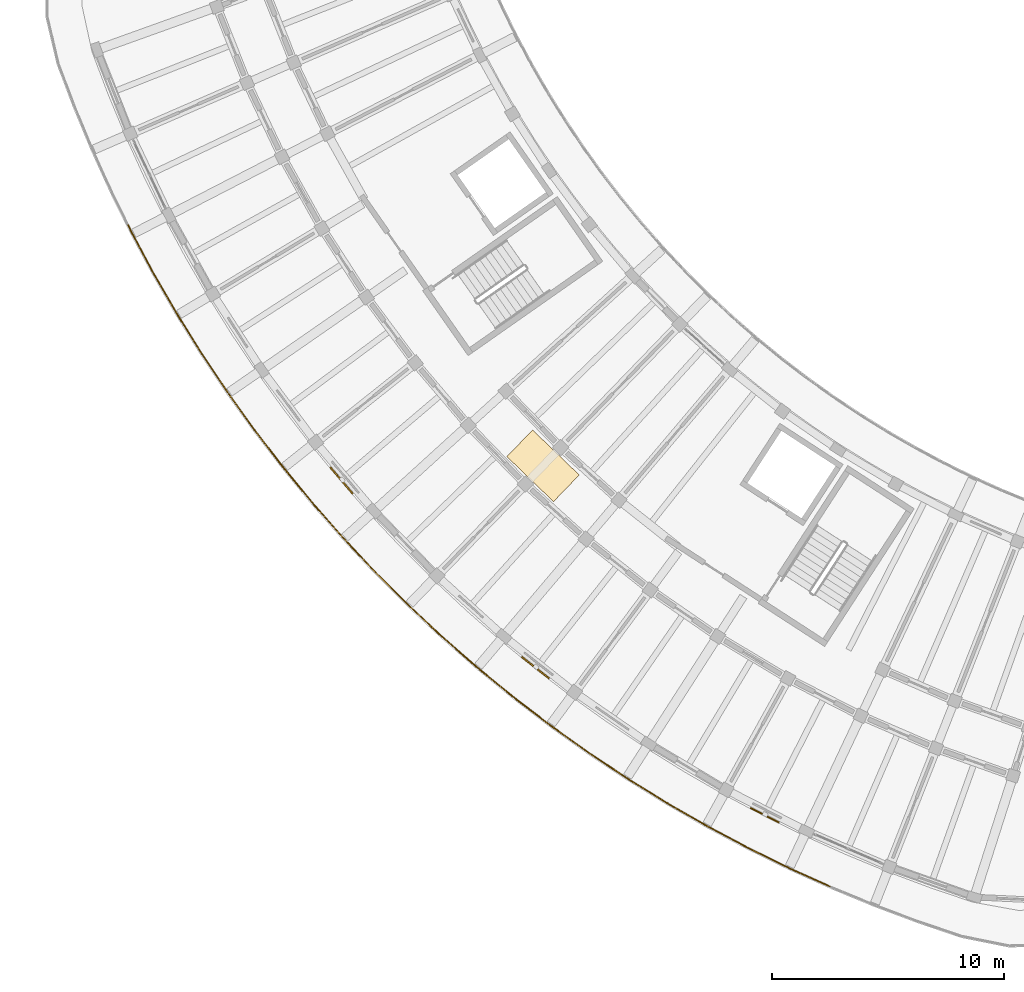
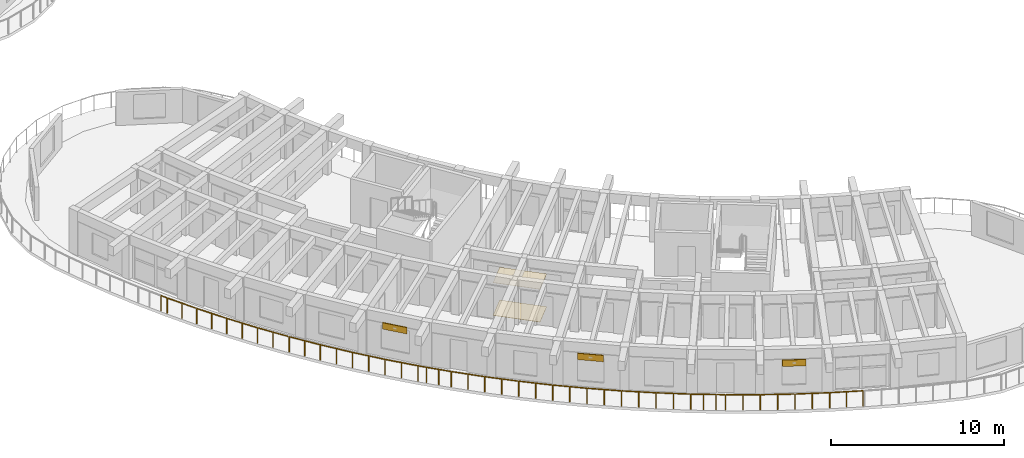
# One storey, part 64 of 83: 5 railings, 3 shading devices, 2 coverings.
"""IFC4 building model written with IfcOpenShell, lengths in metres."""

from ifc_helpers import new_model, si_unit, direction, frame, origin, origin_2d, place, context, subcontext, project, spatial, rectangle, circle, extrude, material, layer, layer_set, type_object, element, save


model = new_model("IFC4")

# Units and contexts
model_context = context("Model", 3, precision=1e-05, world=origin(), true_north=direction((0.0, 1.0)))
body_context = subcontext(model_context, "Body", "Model", "MODEL_VIEW")
ifc_project = project(units=[si_unit("LENGTHUNIT", "METRE"), si_unit("AREAUNIT", "SQUARE_METRE"), si_unit("VOLUMEUNIT", "CUBIC_METRE"), si_unit("PLANEANGLEUNIT", "RADIAN"), si_unit("MASSUNIT", "GRAM", prefix="KILO")], contexts=[model_context])

# Site, building, storey
site_placement = place(None, origin())
site = spatial("IfcSite", under=ifc_project, at=site_placement, CompositionType="ELEMENT")
building_placement = place(site_placement, origin())
building = spatial("IfcBuilding", under=site, at=building_placement, Name="Tanwirah Colonnade Gardens", CompositionType="ELEMENT")
storey_placement = place(building_placement, frame((0.0, 0.0, 25.639892578125)))
storey = spatial("IfcBuildingStorey", under=building, at=storey_placement, Name="L07", CompositionType="ELEMENT", Elevation=25.639892578125)

# Railings
ifc_material_1 = material(Name="Precast concrete C40/50", Category="concrete")
railing_type = type_object("IfcRailingType", Name="BAL-EXT110", PredefinedType="BALUSTRADE", material=ifc_material_1)
railing_1_placement = place(storey_placement, frame((40.60693359375, 8.24169921875, 0.0)))
element("IfcRailing", 1, at=railing_1_placement, inside=storey, type_object=railing_type, Name="Block C L07 Balcony Ribbon Balustrade 10", PredefinedType="BALUSTRADE", context=body_context, shape_type="SweptSolid", body=[
    extrude(circle(Radius=0.02392578125, at=origin_2d()), frame((-0.028564453125, 0.012939453125, 1.076171875), z_axis=(-0.911292757347, 0.41175904411, 0.0), x_axis=(-0.41175904411, -0.911292757347, 0.0)), (0.0, 0.0, 1.0), 1.873291015625),
    extrude(circle(Radius=0.02392578125, at=origin_2d()), frame((-1.792236328125, 0.81103515625, 1.076171875), z_axis=(-0.897352335885, 0.441314836916, 0.0), x_axis=(-0.441314836916, -0.897352335885, 0.0)), (0.0, 0.0, 1.0), 1.944091796875),
    extrude(circle(Radius=0.02392578125, at=origin_2d()), frame((-3.59228515625, 1.697265625, 1.076171875), z_axis=(-0.882416921514, 0.470468252516, 0.0), x_axis=(-0.470468252516, -0.882416921514, 0.0)), (0.0, 0.0, 1.0), 1.944091796875),
    extrude(circle(Radius=0.02392578125, at=origin_2d()), frame((-5.362548828125, 2.642333984375, 1.076171875), z_axis=(-0.866598539642, 0.499005983021, 0.0), x_axis=(-0.499005983021, -0.866598539642, 0.0)), (0.0, 0.0, 1.0), 1.94384765625),
    extrude(circle(Radius=0.02392578125, at=origin_2d()), frame((-7.100830078125, 3.64453125, 1.076171875), z_axis=(-0.849681730197, 0.527295891668, 0.0), x_axis=(-0.527295891668, -0.849681730197, 0.0)), (0.0, 0.0, 1.0), 0.48193359375),
    extrude(circle(Radius=0.02099609375, at=origin_2d()), origin(), (0.0, 0.0, 1.0), 1.049072265625),
    extrude(circle(Radius=0.02099609375, at=origin_2d()), frame((-0.882080078125, 0.3984375, 0.0)), (0.0, 0.0, 1.0), 1.049072265625),
    extrude(circle(Radius=0.02099609375, at=origin_2d()), frame((-1.76416015625, 0.797119140625, 0.0)), (0.0, 0.0, 1.0), 1.049072265625),
    extrude(circle(Radius=0.02099609375, at=origin_2d()), frame((-2.66455078125, 1.23974609375, 0.0)), (0.0, 0.0, 1.0), 1.049072265625),
    extrude(circle(Radius=0.02099609375, at=origin_2d()), frame((-3.564697265625, 1.6826171875, 0.0)), (0.0, 0.0, 1.0), 1.049072265625),
    extrude(circle(Radius=0.02099609375, at=origin_2d()), frame((-4.4501953125, 2.15478515625, 0.0)), (0.0, 0.0, 1.0), 1.049072265625),
    extrude(circle(Radius=0.02099609375, at=origin_2d()), frame((-5.33544921875, 2.626708984375, 0.0)), (0.0, 0.0, 1.0), 1.049072265625),
    extrude(circle(Radius=0.02099609375, at=origin_2d()), frame((-6.204833984375, 3.12744140625, 0.0)), (0.0, 0.0, 1.0), 1.049072265625),
    extrude(circle(Radius=0.02099609375, at=origin_2d()), frame((-7.07421875, 3.6279296875, 0.0)), (0.0, 0.0, 1.0), 1.049072265625),
    extrude(circle(Radius=0.02099609375, at=origin_2d()), frame((-7.536865234375, 3.9150390625, 0.0)), (0.0, 0.0, 1.0), 1.049072265625),
])
railing_2_placement = place(storey_placement, frame((33.070068359375, 12.15673828125, 0.0)))
element("IfcRailing", 2, at=railing_2_placement, inside=storey, type_object=railing_type, Name="Block C L07 Balcony Ribbon Balustrade 11", PredefinedType="BALUSTRADE", context=body_context, shape_type="SweptSolid", body=[
    extrude(circle(Radius=0.02392578125, at=origin_2d()), frame((-0.026611328125, 0.016357421875, 1.076171875), z_axis=(-0.84981295368, 0.527084380112, 0.0), x_axis=(-0.527084380112, -0.84981295368, 0.0)), (0.0, 0.0, 1.0), 1.399658203125),
    extrude(circle(Radius=0.02392578125, at=origin_2d()), frame((-1.268798828125, 0.7880859375, 1.076171875), z_axis=(-0.832069011603, 0.554672119301, 0.0), x_axis=(-0.554672119301, -0.832069011603, 0.0)), (0.0, 0.0, 1.0), 1.944091796875),
    extrude(circle(Radius=0.02392578125, at=origin_2d()), frame((-2.937744140625, 1.90185546875, 1.076171875), z_axis=(-0.813486769226, 0.581583421612, 0.0), x_axis=(-0.581583421612, -0.813486769226, 0.0)), (0.0, 0.0, 1.0), 1.944091796875),
    extrude(circle(Radius=0.02392578125, at=origin_2d()), frame((-4.569580078125, 3.06982421875, 1.076171875), z_axis=(-0.794033083107, 0.607874545388, 0.0), x_axis=(-0.607874545388, -0.794033083107, 0.0)), (0.0, 0.0, 1.0), 1.944091796875),
    extrude(circle(Radius=0.02392578125, at=origin_2d()), frame((-6.162109375, 4.290283203125, 1.076171875), z_axis=(-0.773561728776, 0.633720957341, 0.0), x_axis=(-0.633720957341, -0.773561728776, 0.0)), (0.0, 0.0, 1.0), 0.955322265625),
    extrude(circle(Radius=0.02099609375, at=origin_2d()), origin(), (0.0, 0.0, 1.0), 1.049072265625),
    extrude(circle(Radius=0.02099609375, at=origin_2d()), frame((-0.621337890625, 0.38525390625, 0.0)), (0.0, 0.0, 1.0), 1.049072265625),
    extrude(circle(Radius=0.02099609375, at=origin_2d()), frame((-1.24267578125, 0.770751953125, 0.0)), (0.0, 0.0, 1.0), 1.049072265625),
    extrude(circle(Radius=0.02099609375, at=origin_2d()), frame((-2.07763671875, 1.3271484375, 0.0)), (0.0, 0.0, 1.0), 1.049072265625),
    extrude(circle(Radius=0.02099609375, at=origin_2d()), frame((-2.912353515625, 1.8837890625, 0.0)), (0.0, 0.0, 1.0), 1.049072265625),
    extrude(circle(Radius=0.02099609375, at=origin_2d()), frame((-3.728515625, 2.46728515625, 0.0)), (0.0, 0.0, 1.0), 1.049072265625),
    extrude(circle(Radius=0.02099609375, at=origin_2d()), frame((-4.544677734375, 3.05078125, 0.0)), (0.0, 0.0, 1.0), 1.049072265625),
    extrude(circle(Radius=0.02099609375, at=origin_2d()), frame((-5.34130859375, 3.66064453125, 0.0)), (0.0, 0.0, 1.0), 1.049072265625),
    extrude(circle(Radius=0.02099609375, at=origin_2d()), frame((-6.137939453125, 4.2705078125, 0.0)), (0.0, 0.0, 1.0), 1.049072265625),
    extrude(circle(Radius=0.02099609375, at=origin_2d()), frame((-6.92529296875, 4.91552734375, 0.0)), (0.0, 0.0, 1.0), 1.049072265625),
])
railing_3_placement = place(storey_placement, frame((26.144775390625, 17.072265625, 0.0)))
element("IfcRailing", 3, at=railing_3_placement, inside=storey, type_object=railing_type, Name="Block C L07 Balcony Ribbon Balustrade 12", PredefinedType="BALUSTRADE", context=body_context, shape_type="SweptSolid", body=[
    extrude(circle(Radius=0.02392578125, at=origin_2d()), frame((-0.024169921875, 0.019775390625, 1.076171875), z_axis=(-0.77385827586, 0.633358799483, 0.0), x_axis=(-0.633358799483, -0.77385827586, 0.0)), (0.0, 0.0, 1.0), 0.92626953125),
    extrude(circle(Radius=0.02392578125, at=origin_2d()), frame((-0.78857421875, 0.646728515625, 1.076171875), z_axis=(-0.752508858808, 0.658582126553, 0.0), x_axis=(-0.658582126553, -0.752508858808, 0.0)), (0.0, 0.0, 1.0), 1.944091796875),
    extrude(circle(Radius=0.02392578125, at=origin_2d()), frame((-2.298095703125, 1.968994140625, 1.076171875), z_axis=(-0.730610060212, 0.682794947196, 0.0), x_axis=(-0.682794947196, -0.730610060212, 0.0)), (0.0, 0.0, 1.0), 1.944091796875),
    extrude(circle(Radius=0.02392578125, at=origin_2d()), frame((-3.763427734375, 3.33984375, 1.076171875), z_axis=(-0.707897217537, 0.706315460261, 0.0), x_axis=(-0.706315460261, -0.707897217537, 0.0)), (0.0, 0.0, 1.0), 1.944091796875),
    extrude(circle(Radius=0.02392578125, at=origin_2d()), frame((-5.18310546875, 4.7578125, 1.076171875), z_axis=(-0.684409271717, 0.729098037844, 0.0), x_axis=(-0.729098037844, -0.684409271717, 0.0)), (0.0, 0.0, 1.0), 1.428955078125),
    extrude(circle(Radius=0.02099609375, at=origin_2d()), origin(), (0.0, 0.0, 1.0), 1.049072265625),
    extrude(circle(Radius=0.02099609375, at=origin_2d()), frame((-0.76513671875, 0.626220703125, 0.0)), (0.0, 0.0, 1.0), 1.049072265625),
    extrude(circle(Radius=0.02099609375, at=origin_2d()), frame((-1.52001953125, 1.287109375, 0.0)), (0.0, 0.0, 1.0), 1.049072265625),
    extrude(circle(Radius=0.02099609375, at=origin_2d()), frame((-2.275146484375, 1.94775390625, 0.0)), (0.0, 0.0, 1.0), 1.049072265625),
    extrude(circle(Radius=0.02099609375, at=origin_2d()), frame((-3.00830078125, 2.6328125, 0.0)), (0.0, 0.0, 1.0), 1.049072265625),
    extrude(circle(Radius=0.02099609375, at=origin_2d()), frame((-3.7412109375, 3.31787109375, 0.0)), (0.0, 0.0, 1.0), 1.049072265625),
    extrude(circle(Radius=0.02099609375, at=origin_2d()), frame((-4.451416015625, 4.0263671875, 0.0)), (0.0, 0.0, 1.0), 1.049072265625),
    extrude(circle(Radius=0.02099609375, at=origin_2d()), frame((-5.16162109375, 4.735107421875, 0.0)), (0.0, 0.0, 1.0), 1.049072265625),
    extrude(circle(Radius=0.02099609375, at=origin_2d()), frame((-5.671875, 5.27880859375, 0.0)), (0.0, 0.0, 1.0), 1.049072265625),
    extrude(circle(Radius=0.02099609375, at=origin_2d()), frame((-6.182373046875, 5.822509765625, 0.0)), (0.0, 0.0, 1.0), 1.049072265625),
])
railing_4_placement = place(storey_placement, frame((19.96240234375, 22.894775390625, 0.0)))
element("IfcRailing", 4, at=railing_4_placement, inside=storey, type_object=railing_type, Name="Block C L07 Balcony Ribbon Balustrade 13", PredefinedType="BALUSTRADE", context=body_context, shape_type="SweptSolid", body=[
    extrude(circle(Radius=0.02392578125, at=origin_2d()), frame((-0.021484375, 0.022705078125, 1.076171875), z_axis=(-0.684240552839, 0.729256378684, 0.0), x_axis=(-0.729256378684, -0.684240552839, 0.0)), (0.0, 0.0, 1.0), 0.45263671875),
    extrude(circle(Radius=0.02392578125, at=origin_2d()), frame((-0.373291015625, 0.399169921875, 1.076171875), z_axis=(-0.660199900943, 0.751089935224, 0.0), x_axis=(-0.751089935224, -0.660199900943, 0.0)), (0.0, 0.0, 1.0), 1.944091796875),
    extrude(circle(Radius=0.02392578125, at=origin_2d()), frame((-1.697021484375, 1.906982421875, 1.076171875), z_axis=(-0.635216698846, 0.77233395983, 0.0), x_axis=(-0.77233395983, -0.635216698846, 0.0)), (0.0, 0.0, 1.0), 1.944091796875),
    extrude(circle(Radius=0.02392578125, at=origin_2d()), frame((-2.970947265625, 3.457275390625, 1.076171875), z_axis=(-0.609669601555, 0.7926556484, 0.0), x_axis=(-0.7926556484, -0.609669601555, 0.0)), (0.0, 0.0, 1.0), 1.944091796875),
    extrude(circle(Radius=0.02392578125, at=origin_2d()), frame((-4.193603515625, 5.048583984375, 1.076171875), z_axis=(-0.583292964212, 0.812261853038, 0.0), x_axis=(-0.812261853038, -0.583292964212, 0.0)), (0.0, 0.0, 1.0), 1.902587890625),
    extrude(circle(Radius=0.02099609375, at=origin_2d()), origin(), (0.0, 0.0, 1.0), 1.049072265625),
    extrude(circle(Radius=0.02099609375, at=origin_2d()), frame((-0.3525390625, 0.375732421875, 0.0)), (0.0, 0.0, 1.0), 1.049072265625),
    extrude(circle(Radius=0.02099609375, at=origin_2d()), frame((-1.014892578125, 1.12939453125, 0.0)), (0.0, 0.0, 1.0), 1.049072265625),
    extrude(circle(Radius=0.02099609375, at=origin_2d()), frame((-1.67724609375, 1.8828125, 0.0)), (0.0, 0.0, 1.0), 1.049072265625),
    extrude(circle(Radius=0.02099609375, at=origin_2d()), frame((-2.314453125, 2.65771484375, 0.0)), (0.0, 0.0, 1.0), 1.049072265625),
    extrude(circle(Radius=0.02099609375, at=origin_2d()), frame((-2.951904296875, 3.4326171875, 0.0)), (0.0, 0.0, 1.0), 1.049072265625),
    extrude(circle(Radius=0.02099609375, at=origin_2d()), frame((-3.5634765625, 4.22802734375, 0.0)), (0.0, 0.0, 1.0), 1.049072265625),
    extrude(circle(Radius=0.02099609375, at=origin_2d()), frame((-4.17529296875, 5.023193359375, 0.0)), (0.0, 0.0, 1.0), 1.049072265625),
    extrude(circle(Radius=0.02099609375, at=origin_2d()), frame((-4.74853515625, 5.8212890625, 0.0)), (0.0, 0.0, 1.0), 1.049072265625),
    extrude(circle(Radius=0.02099609375, at=origin_2d()), frame((-5.321533203125, 6.619384765625, 0.0)), (0.0, 0.0, 1.0), 1.049072265625),
])
railing_5_placement = place(storey_placement, frame((14.640869140625, 29.51416015625, 0.0)))
element("IfcRailing", 5, at=railing_5_placement, inside=storey, type_object=railing_type, Name="Block C L07 Balcony Ribbon Balustrade 14", PredefinedType="BALUSTRADE", context=body_context, shape_type="SweptSolid", body=[
    extrude(circle(Radius=0.02392578125, at=origin_2d()), frame((-0.04150390625, 0.0595703125, 1.076171875), z_axis=(-0.556495801451, 0.830850421537, 0.0), x_axis=(-0.830850421537, -0.556495801451, 0.0)), (0.0, 0.0, 1.0), 1.944091796875),
    extrude(circle(Radius=0.02392578125, at=origin_2d()), frame((-1.157470703125, 1.7275390625, 1.076171875), z_axis=(-0.529003375217, 0.848619719903, 0.0), x_axis=(-0.848619719903, -0.529003375217, 0.0)), (0.0, 0.0, 1.0), 1.944091796875),
    extrude(circle(Radius=0.02392578125, at=origin_2d()), frame((-2.218017578125, 3.430908203125, 1.076171875), z_axis=(-0.500940340279, 0.865481816956, 0.0), x_axis=(-0.865481816956, -0.500940340279, 0.0)), (0.0, 0.0, 1.0), 1.94384765625),
    extrude(circle(Radius=0.02392578125, at=origin_2d()), frame((-3.22216796875, 5.16796875, 1.076171875), z_axis=(-0.472342962594, 0.881414843129, 0.0), x_axis=(-0.881414843129, -0.472342962594, 0.0)), (0.0, 0.0, 1.0), 1.944091796875),
    extrude(circle(Radius=0.02392578125, at=origin_2d()), frame((-4.169189453125, 6.93701171875, 1.076171875), z_axis=(-0.443368825421, 0.896339268717, 0.0), x_axis=(-0.896339268717, -0.443368825421, 0.0)), (0.0, 0.0, 1.0), 0.36962890625),
    extrude(circle(Radius=0.02099609375, at=origin_2d()), origin(), (0.0, 0.0, 1.0), 1.049072265625),
    extrude(circle(Radius=0.02099609375, at=origin_2d()), frame((-0.58251953125, 0.8671875, 0.0)), (0.0, 0.0, 1.0), 1.049072265625),
    extrude(circle(Radius=0.02099609375, at=origin_2d()), frame((-1.140869140625, 1.700927734375, 0.0)), (0.0, 0.0, 1.0), 1.049072265625),
    extrude(circle(Radius=0.02099609375, at=origin_2d()), frame((-1.671630859375, 2.55224609375, 0.0)), (0.0, 0.0, 1.0), 1.049072265625),
    extrude(circle(Radius=0.02099609375, at=origin_2d()), frame((-2.202392578125, 3.40380859375, 0.0)), (0.0, 0.0, 1.0), 1.049072265625),
    extrude(circle(Radius=0.02099609375, at=origin_2d()), frame((-2.705078125, 4.27197265625, 0.0)), (0.0, 0.0, 1.0), 1.049072265625),
    extrude(circle(Radius=0.02099609375, at=origin_2d()), frame((-3.20751953125, 5.140380859375, 0.0)), (0.0, 0.0, 1.0), 1.049072265625),
    extrude(circle(Radius=0.02099609375, at=origin_2d()), frame((-3.681396484375, 6.024658203125, 0.0)), (0.0, 0.0, 1.0), 1.049072265625),
    extrude(circle(Radius=0.02099609375, at=origin_2d()), frame((-4.1552734375, 6.908935546875, 0.0)), (0.0, 0.0, 1.0), 1.049072265625),
    extrude(circle(Radius=0.02099609375, at=origin_2d()), frame((-4.346923828125, 7.29638671875, 0.0)), (0.0, 0.0, 1.0), 1.049072265625),
])

# Coverings
ifc_material_2 = material(Name="Acoustic perforated gypsum ceiling board")
ifc_layer_1 = layer(ifc_material_2, 0.014892578125)
ifc_layer_set_1 = layer_set([ifc_layer_1], Name="Acoustic perforated gypsum ceiling board")
covering_type_1 = type_object("IfcCoveringType", Name="COV-CEIL15", PredefinedType="CEILING", material=ifc_layer_set_1)
covering_1_placement = place(storey_placement, frame((28.2177734375, 26.410888671875, 2.3125), z_axis=(0.0, 0.0, 1.0), x_axis=(0.719339800339, -0.694658370459, 0.0)))
element("IfcCovering", 6, at=covering_1_placement, inside=storey, type_object=covering_type_1, Name="Block C L07 Corridor Acoustic Ceiling", PredefinedType="CEILING", context=body_context, shape_type="SweptSolid", body=[
    extrude(rectangle(XDim=2.800048828125, YDim=1.60009765625, at=origin_2d()), origin(), (0.0, 0.0, 1.0), 0.014892578125),
])
ifc_material_3 = material(Name="Honed Abu Dhabi limestone terrazzo flooring", Category="masonry")
ifc_layer_2 = layer(ifc_material_3, 0.02001953125)
ifc_layer_set_2 = layer_set([ifc_layer_2], Name="Honed Abu Dhabi limestone terrazzo flooring")
covering_type_2 = type_object("IfcCoveringType", Name="COV-FLR20", PredefinedType="FLOORING", material=ifc_layer_set_2)
covering_2_placement = place(storey_placement, frame((28.2177734375, 26.410888671875, 0.0), z_axis=(0.0, 0.0, 1.0), x_axis=(0.719339800339, -0.694658370459, 0.0)))
element("IfcCovering", 7, at=covering_2_placement, inside=storey, type_object=covering_type_2, Name="Block C L07 Corridor Terrazzo Flooring", PredefinedType="FLOORING", context=body_context, shape_type="SweptSolid", body=[
    extrude(rectangle(XDim=2.800048828125, YDim=1.60009765625, at=origin_2d()), origin(), (0.0, 0.0, 1.0), 0.02001953125),
])

# Shading devices
ifc_material_4 = material(Name="Perforated architectural bronze aluminium", Category="aluminium")
ifc_layer_3 = layer(ifc_material_4, 0.050048828125)
ifc_layer_set_3 = layer_set([ifc_layer_3], Name="Perforated architectural bronze aluminium")
shading_device_type = type_object("IfcShadingDeviceType", Name="SHD-OVH1", PredefinedType="SHUTTER", material=ifc_layer_set_3)
for number, where, z_axis, x_axis, name in (
    (8, (19.51318359375, 25.779296875, 2.02001953125), (0.0, 0.0, 1.0), (0.647787024286, -0.761821482479, 0.0), "Solar shading louver hood C-L07-06"),
    (9, (27.890380859375, 17.689697265625, 1.93505859375), (0.0, 0.0, 1.0), (0.783964750381, -0.62080533999, 0.0), "Solar shading louver hood C-L07-09"),
):
    element("IfcShadingDevice", number, at=place(storey_placement, frame(where, z_axis=z_axis, x_axis=x_axis)), inside=storey, type_object=shading_device_type, Name=name, PredefinedType="SHUTTER", context=body_context, shape_type="SweptSolid", body=[
        extrude(rectangle(XDim=1.5, YDim=0.06005859375, at=origin_2d()), origin(), (0.0, 0.0, 1.0), 0.449951171875),
    ])
shading_device_placement = place(storey_placement, frame((37.79345703125, 11.319580078125, 1.9453125), z_axis=(0.0, 0.0, 1.0), x_axis=(0.890014704164, -0.455931822066, 0.0)))
element("IfcShadingDevice", 10, at=shading_device_placement, inside=storey, type_object=shading_device_type, Name="Solar shading louver hood C-L07-12", PredefinedType="SHUTTER", context=body_context, shape_type="SweptSolid", body=[
    extrude(rectangle(XDim=1.3798828125, YDim=0.06005859375, at=origin_2d()), origin(), (0.0, 0.0, 1.0), 0.449951171875),
])

save(model, "model.ifc")
